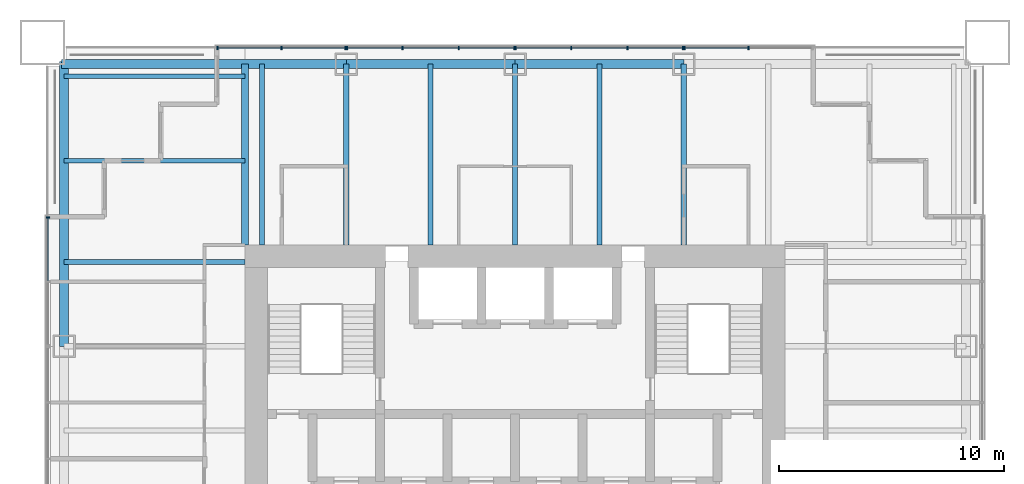
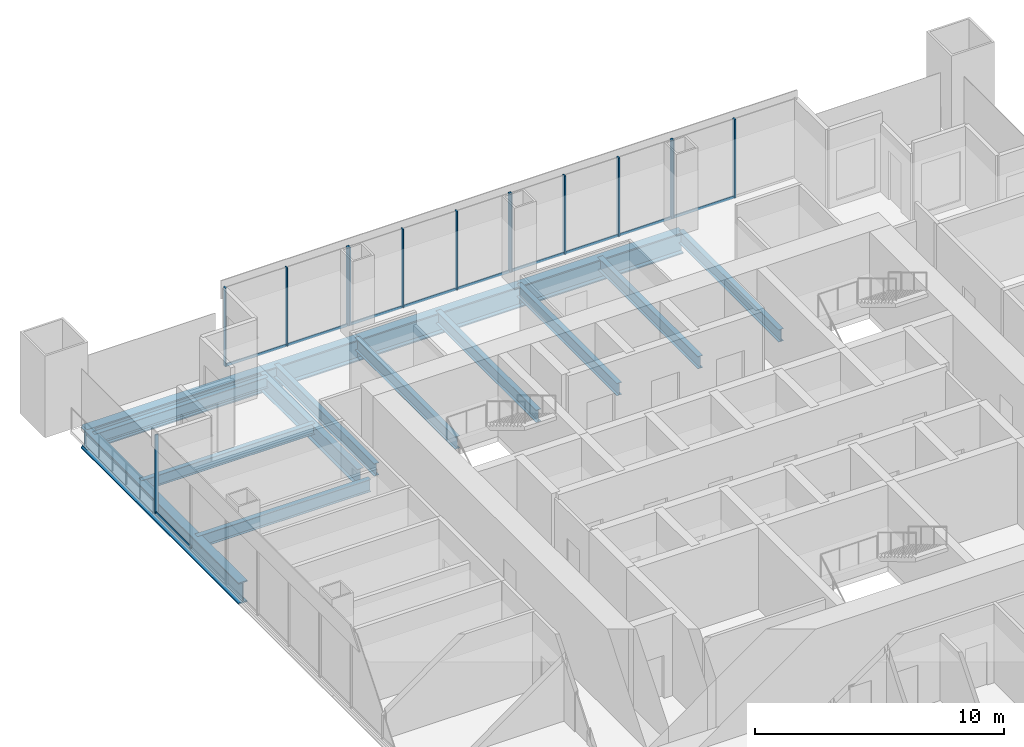
# One storey, part 6 of 15: 24 members, 14 beams, 5 elements without a shape of their own.
"""IFC4 building model written with IfcOpenShell, lengths in metres."""

from ifc_helpers import new_model, si_unit, direction, frame, origin, origin_2d, place, context, subcontext, project, spatial, rectangle, i_section, extrude, material, material_profile, profile_set, type_object, element, aggregate, save


model = new_model("IFC4")

# Units and contexts
model_context = context("Model", 3, precision=1e-05, world=origin(), true_north=direction((0.0, 1.0)))
body_context = subcontext(model_context, "Body", "Model", "MODEL_VIEW")
ifc_project = project(units=[si_unit("LENGTHUNIT", "METRE"), si_unit("AREAUNIT", "SQUARE_METRE"), si_unit("VOLUMEUNIT", "CUBIC_METRE"), si_unit("PLANEANGLEUNIT", "RADIAN"), si_unit("MASSUNIT", "GRAM", prefix="KILO")], contexts=[model_context])

# Site, building, storey
site_placement = place(None, origin())
site = spatial("IfcSite", under=ifc_project, at=site_placement, CompositionType="ELEMENT")
building_placement = place(site_placement, origin())
building = spatial("IfcBuilding", under=site, at=building_placement, Name="Tarangal Relay Tower", CompositionType="ELEMENT")
storey_placement = place(building_placement, frame((0.0, 0.0, 299.89990234375)))
storey = spatial("IfcBuildingStorey", under=building, at=storey_placement, Name="L66", CompositionType="ELEMENT", Elevation=299.89990234375)

# Beams
ifc_material_1 = material(Name="Steel ASTM A992", Category="steel")
ifc_material_profile_1 = material_profile(ifc_material_1, i_section(OverallWidth=0.209228515625, OverallDepth=0.533447265625, WebThickness=0.01025390625, FlangeThickness=0.015625, at=origin_2d()), Name="W21X62")
ifc_profile_set_1 = profile_set([ifc_material_profile_1], Name="Steel ASTM A992")
beam_type_1 = type_object("IfcBeamType", Name="Corner beam W21X62", PredefinedType="JOIST", material=ifc_profile_set_1)
for number, where, z_axis, x_axis, name in (
    (1, (-12.0, 15.75, -0.41650390625), (-1.0, 0.0, 0.0), (0.0, -1.0, 0.0), "Corner beam CB12 W L66"),
    (2, (-12.0, 19.5, -0.41650390625), (-1.0, 0.0, 0.0), (0.0, -1.0, 0.0), "Corner beam CB12 W L66"),
):
    element("IfcBeam", number, at=place(storey_placement, frame(where, z_axis=z_axis, x_axis=x_axis)), inside=storey, type_object=beam_type_1, Name=name, PredefinedType="JOIST", context=body_context, shape_type="SweptSolid", body=[
        extrude(i_section(OverallWidth=0.209228515625, OverallDepth=0.533447265625, WebThickness=0.01025390625, FlangeThickness=0.015625, at=origin_2d()), origin(), (0.0, 0.0, 1.0), 8.0400390625),
    ])
ifc_material_profile_2 = material_profile(ifc_material_1, i_section(OverallWidth=0.2919921875, OverallDepth=0.8408203125, WebThickness=0.0146484375, FlangeThickness=0.021728515625, at=origin_2d()), Name="W33X130")
ifc_profile_set_2 = profile_set([ifc_material_profile_2], Name="Steel ASTM A992")
beam_type_2 = type_object("IfcBeamType", Name="Corner girder W33X130", PredefinedType="BEAM", material=ifc_profile_set_2)
beam_1_placement = place(storey_placement, frame((-12.0, 12.0, -0.5703125), z_axis=(0.0, 1.0, 0.0), x_axis=(-1.0, 0.0, 0.0)))
element("IfcBeam", 3, at=beam_1_placement, inside=storey, type_object=beam_type_2, Name="Corner girder CG5 W L66", PredefinedType="BEAM", context=body_context, shape_type="SweptSolid", body=[
    extrude(i_section(OverallWidth=0.2919921875, OverallDepth=0.8408203125, WebThickness=0.0146484375, FlangeThickness=0.021728515625, at=origin_2d()), origin(), (0.0, 0.0, 1.0), 8.0400390625),
])
ifc_material_profile_3 = material_profile(ifc_material_1, i_section(OverallWidth=0.41162109375, OverallDepth=1.049072265625, WebThickness=0.033935546875, FlangeThickness=0.059814453125, at=origin_2d()), Name="W40X431")
ifc_profile_set_3 = profile_set([ifc_material_profile_3], Name="Steel ASTM A992")
beam_type_3 = type_object("IfcBeamType", Name="Edge girder W40X431", PredefinedType="SPANDREL", material=ifc_profile_set_3)
beam_2_placement = place(storey_placement, frame((-20.14990234375, 20.0400390625, -0.67431640625), z_axis=(1.0, 0.0, 0.0), x_axis=(0.0, 1.0, 0.0)))
element("IfcBeam", 4, at=beam_2_placement, inside=storey, type_object=beam_type_3, Name="Edge girder EG1 N L66", PredefinedType="SPANDREL", context=body_context, shape_type="SweptSolid", body=[
    extrude(i_section(OverallWidth=0.41162109375, OverallDepth=1.049072265625, WebThickness=0.033935546875, FlangeThickness=0.059814453125, at=origin_2d()), origin(), (0.0, 0.0, 1.0), 12.64990234375),
])
for number, where, z_axis, x_axis, name in (
    (5, (-7.5, 20.0400390625, -0.67431640625), (1.0, 0.0, 0.0), (0.0, 1.0, 0.0), "Edge girder EG1 N L66"),
    (6, (0.0, 20.0400390625, -0.67431640625), (1.0, 0.0, 0.0), (0.0, 1.0, 0.0), "Edge girder EG1 N L66"),
):
    element("IfcBeam", number, at=place(storey_placement, frame(where, z_axis=z_axis, x_axis=x_axis)), inside=storey, type_object=beam_type_3, Name=name, PredefinedType="SPANDREL", context=body_context, shape_type="SweptSolid", body=[
        extrude(i_section(OverallWidth=0.41162109375, OverallDepth=1.049072265625, WebThickness=0.033935546875, FlangeThickness=0.059814453125, at=origin_2d()), origin(), (0.0, 0.0, 1.0), 7.5),
    ])
beam_3_placement = place(storey_placement, frame((-20.0400390625, 7.5, -0.67431640625), z_axis=(0.0, 1.0, 0.0), x_axis=(-1.0, 0.0, 0.0)))
element("IfcBeam", 7, at=beam_3_placement, inside=storey, type_object=beam_type_3, Name="Edge girder EG1 W L66", PredefinedType="SPANDREL", context=body_context, shape_type="SweptSolid", body=[
    extrude(i_section(OverallWidth=0.41162109375, OverallDepth=1.049072265625, WebThickness=0.033935546875, FlangeThickness=0.059814453125, at=origin_2d()), origin(), (0.0, 0.0, 1.0), 12.64990234375),
])
ifc_material_profile_4 = material_profile(ifc_material_1, i_section(OverallWidth=0.228271484375, OverallDepth=0.607177734375, WebThickness=0.01123046875, FlangeThickness=0.017333984375, at=origin_2d()), Name="W24X76")
ifc_profile_set_4 = profile_set([ifc_material_profile_4], Name="Steel ASTM A992")
beam_type_4 = type_object("IfcBeamType", Name="Floor beam W24X76", PredefinedType="BEAM", material=ifc_profile_set_4)
for number, where, z_axis, x_axis, name in (
    (8, (-11.25, 12.0, -0.453369140625), (0.0, 1.0, 0.0), (-1.0, 0.0, 0.0), "Floor beam RB5 N L66"),
    (9, (-7.5, 12.0, -0.453369140625), (0.0, 1.0, 0.0), (-1.0, 0.0, 0.0), "Floor beam RB5 N L66"),
    (10, (-3.75, 12.0, -0.453369140625), (0.0, 1.0, 0.0), (-1.0, 0.0, 0.0), "Floor beam RB5 N L66"),
    (11, (0.0, 12.0, -0.453369140625), (0.0, 1.0, 0.0), (-1.0, 0.0, 0.0), "Floor beam RB5 N L66"),
    (12, (3.75, 12.0, -0.453369140625), (0.0, 1.0, 0.0), (-1.0, 0.0, 0.0), "Floor beam RB5 N L66"),
    (13, (7.5, 12.0, -0.453369140625), (0.0, 1.0, 0.0), (-1.0, 0.0, 0.0), "Floor beam RB5 N L66"),
    (14, (-12.0, 11.25, -0.453369140625), (-1.0, 0.0, 0.0), (0.0, -1.0, 0.0), "Floor beam RB5 W L66"),
):
    element("IfcBeam", number, at=place(storey_placement, frame(where, z_axis=z_axis, x_axis=x_axis)), inside=storey, type_object=beam_type_4, Name=name, PredefinedType="BEAM", context=body_context, shape_type="SweptSolid", body=[
        extrude(i_section(OverallWidth=0.228271484375, OverallDepth=0.607177734375, WebThickness=0.01123046875, FlangeThickness=0.017333984375, at=origin_2d()), origin(), (0.0, 0.0, 1.0), 8.0400390625),
    ])

# Curtain wall, members
ifc_material_2 = material(Name="Unitised curtain wall, dark glass and black aluminium", Category="aluminium")
curtain_wall_type = type_object("IfcCurtainWallType", Name="Curtain wall CW-B", PredefinedType="USERDEFINED", material=ifc_material_2)
curtain_wall_1_placement = place(storey_placement, origin())
curtain_wall_1 = element("IfcCurtainWall", 15, at=curtain_wall_1_placement, inside=storey, type_object=curtain_wall_type, Name="Curtain wall CW-B N facade L66", ObjectType="UNITISED CURTAIN WALL", PredefinedType="USERDEFINED")
ifc_material_3 = material(Name="Black anodised aluminium mullion", Category="aluminium")
ifc_material_profile_5 = material_profile(ifc_material_3, rectangle(XDim=0.159912109375, YDim=0.06005859375, at=origin_2d()), Name="CW-BM 60X160")
ifc_profile_set_5 = profile_set([ifc_material_profile_5], Name="Black anodised aluminium mullion")
member_type_1 = type_object("IfcMemberType", Name="Mullion CW-B 60 x 160", PredefinedType="MULLION", material=ifc_profile_set_5)
member_1_placement = place(storey_placement, frame((-13.219970703125, 20.75, 0.0), z_axis=(0.0, 0.0, 1.0), x_axis=(0.0, 1.0, 0.0)))
member_1 = element("IfcMember", 16, at=member_1_placement, type_object=member_type_1, Name="CW-B mullion 1", PredefinedType="MULLION", context=body_context, shape_type="SweptSolid", body=[
    extrude(rectangle(XDim=0.159912109375, YDim=0.06005859375, at=origin_2d()), origin(), (0.0, 0.0, 1.0), 3.85009765625),
])
member_2_placement = place(storey_placement, frame((-10.375, 20.75, 0.0), z_axis=(0.0, 0.0, 1.0), x_axis=(0.0, 1.0, 0.0)))
member_2 = element("IfcMember", 17, at=member_2_placement, type_object=member_type_1, Name="CW-B mullion 2", PredefinedType="MULLION", context=body_context, shape_type="SweptSolid", body=[
    extrude(rectangle(XDim=0.159912109375, YDim=0.06005859375, at=origin_2d()), origin(), (0.0, 0.0, 1.0), 3.85009765625),
])
member_3_placement = place(storey_placement, frame((-7.530029296875, 20.75, 0.0), z_axis=(0.0, 0.0, 1.0), x_axis=(0.0, 1.0, 0.0)))
member_3 = element("IfcMember", 18, at=member_3_placement, type_object=member_type_1, Name="CW-B mullion 3", PredefinedType="MULLION", context=body_context, shape_type="SweptSolid", body=[
    extrude(rectangle(XDim=0.159912109375, YDim=0.06005859375, at=origin_2d()), origin(), (0.0, 0.0, 1.0), 3.85009765625),
])

curtain_wall_2_placement = place(storey_placement, origin())
curtain_wall_2 = element("IfcCurtainWall", 19, at=curtain_wall_2_placement, inside=storey, type_object=curtain_wall_type, Name="Curtain wall CW-B N facade L66", ObjectType="UNITISED CURTAIN WALL", PredefinedType="USERDEFINED")
member_4_placement = place(storey_placement, frame((-7.469970703125, 20.75, 0.0), z_axis=(0.0, 0.0, 1.0), x_axis=(0.0, 1.0, 0.0)))
member_4 = element("IfcMember", 20, at=member_4_placement, type_object=member_type_1, Name="CW-B mullion 1", PredefinedType="MULLION", context=body_context, shape_type="SweptSolid", body=[
    extrude(rectangle(XDim=0.159912109375, YDim=0.06005859375, at=origin_2d()), origin(), (0.0, 0.0, 1.0), 3.85009765625),
])
member_5_placement = place(storey_placement, frame((-5.0, 20.75, 0.0), z_axis=(0.0, 0.0, 1.0), x_axis=(0.0, 1.0, 0.0)))
member_5 = element("IfcMember", 21, at=member_5_placement, type_object=member_type_1, Name="CW-B mullion 2", PredefinedType="MULLION", context=body_context, shape_type="SweptSolid", body=[
    extrude(rectangle(XDim=0.159912109375, YDim=0.06005859375, at=origin_2d()), origin(), (0.0, 0.0, 1.0), 3.85009765625),
])
member_6_placement = place(storey_placement, frame((-2.5, 20.75, 0.0), z_axis=(0.0, 0.0, 1.0), x_axis=(0.0, 1.0, 0.0)))
member_6 = element("IfcMember", 22, at=member_6_placement, type_object=member_type_1, Name="CW-B mullion 3", PredefinedType="MULLION", context=body_context, shape_type="SweptSolid", body=[
    extrude(rectangle(XDim=0.159912109375, YDim=0.06005859375, at=origin_2d()), origin(), (0.0, 0.0, 1.0), 3.85009765625),
])
member_7_placement = place(storey_placement, frame((-0.030029296875, 20.75, 0.0), z_axis=(0.0, 0.0, 1.0), x_axis=(0.0, 1.0, 0.0)))
member_7 = element("IfcMember", 23, at=member_7_placement, type_object=member_type_1, Name="CW-B mullion 4", PredefinedType="MULLION", context=body_context, shape_type="SweptSolid", body=[
    extrude(rectangle(XDim=0.159912109375, YDim=0.06005859375, at=origin_2d()), origin(), (0.0, 0.0, 1.0), 3.85009765625),
])

curtain_wall_3_placement = place(storey_placement, origin())
curtain_wall_3 = element("IfcCurtainWall", 24, at=curtain_wall_3_placement, inside=storey, type_object=curtain_wall_type, Name="Curtain wall CW-B N facade L66", ObjectType="UNITISED CURTAIN WALL", PredefinedType="USERDEFINED")
member_8_placement = place(storey_placement, frame((0.030029296875, 20.75, 0.0), z_axis=(0.0, 0.0, 1.0), x_axis=(0.0, 1.0, 0.0)))
member_8 = element("IfcMember", 25, at=member_8_placement, type_object=member_type_1, Name="CW-B mullion 1", PredefinedType="MULLION", context=body_context, shape_type="SweptSolid", body=[
    extrude(rectangle(XDim=0.159912109375, YDim=0.06005859375, at=origin_2d()), origin(), (0.0, 0.0, 1.0), 3.85009765625),
])
member_9_placement = place(storey_placement, frame((2.5, 20.75, 0.0), z_axis=(0.0, 0.0, 1.0), x_axis=(0.0, 1.0, 0.0)))
member_9 = element("IfcMember", 26, at=member_9_placement, type_object=member_type_1, Name="CW-B mullion 2", PredefinedType="MULLION", context=body_context, shape_type="SweptSolid", body=[
    extrude(rectangle(XDim=0.159912109375, YDim=0.06005859375, at=origin_2d()), origin(), (0.0, 0.0, 1.0), 3.85009765625),
])
member_10_placement = place(storey_placement, frame((5.0, 20.75, 0.0), z_axis=(0.0, 0.0, 1.0), x_axis=(0.0, 1.0, 0.0)))
member_10 = element("IfcMember", 27, at=member_10_placement, type_object=member_type_1, Name="CW-B mullion 3", PredefinedType="MULLION", context=body_context, shape_type="SweptSolid", body=[
    extrude(rectangle(XDim=0.159912109375, YDim=0.06005859375, at=origin_2d()), origin(), (0.0, 0.0, 1.0), 3.85009765625),
])
member_11_placement = place(storey_placement, frame((7.469970703125, 20.75, 0.0), z_axis=(0.0, 0.0, 1.0), x_axis=(0.0, 1.0, 0.0)))
member_11 = element("IfcMember", 28, at=member_11_placement, type_object=member_type_1, Name="CW-B mullion 4", PredefinedType="MULLION", context=body_context, shape_type="SweptSolid", body=[
    extrude(rectangle(XDim=0.159912109375, YDim=0.06005859375, at=origin_2d()), origin(), (0.0, 0.0, 1.0), 3.85009765625),
])

curtain_wall_4_placement = place(storey_placement, origin())
curtain_wall_4 = element("IfcCurtainWall", 29, at=curtain_wall_4_placement, inside=storey, type_object=curtain_wall_type, Name="Curtain wall CW-B N facade L66", ObjectType="UNITISED CURTAIN WALL", PredefinedType="USERDEFINED")
member_12_placement = place(storey_placement, frame((7.530029296875, 20.75, 0.0), z_axis=(0.0, 0.0, 1.0), x_axis=(0.0, 1.0, 0.0)))
member_12 = element("IfcMember", 30, at=member_12_placement, type_object=member_type_1, Name="CW-B mullion 1", PredefinedType="MULLION", context=body_context, shape_type="SweptSolid", body=[
    extrude(rectangle(XDim=0.159912109375, YDim=0.06005859375, at=origin_2d()), origin(), (0.0, 0.0, 1.0), 3.85009765625),
])
member_13_placement = place(storey_placement, frame((10.375, 20.75, 0.0), z_axis=(0.0, 0.0, 1.0), x_axis=(0.0, 1.0, 0.0)))
member_13 = element("IfcMember", 31, at=member_13_placement, type_object=member_type_1, Name="CW-B mullion 2", PredefinedType="MULLION", context=body_context, shape_type="SweptSolid", body=[
    extrude(rectangle(XDim=0.159912109375, YDim=0.06005859375, at=origin_2d()), origin(), (0.0, 0.0, 1.0), 3.85009765625),
])

# Curtain wall, member
curtain_wall_5_placement = place(storey_placement, origin())
curtain_wall_5 = element("IfcCurtainWall", 32, at=curtain_wall_5_placement, inside=storey, type_object=curtain_wall_type, Name="Curtain wall CW-B W facade L66", ObjectType="UNITISED CURTAIN WALL", PredefinedType="USERDEFINED")
member_14_placement = place(storey_placement, frame((-20.75, 13.219970703125, 0.0), z_axis=(0.0, 0.0, 1.0), x_axis=(-1.0, 0.0, 0.0)))
member_14 = element("IfcMember", 33, at=member_14_placement, type_object=member_type_1, Name="CW-B mullion 3", PredefinedType="MULLION", context=body_context, shape_type="SweptSolid", body=[
    extrude(rectangle(XDim=0.159912109375, YDim=0.06005859375, at=origin_2d()), origin(), (0.0, 0.0, 1.0), 3.85009765625),
])

# Member
ifc_material_4 = material(Name="Black anodised aluminium transom", Category="aluminium")
ifc_material_profile_6 = material_profile(ifc_material_4, rectangle(XDim=0.06005859375, YDim=0.1298828125, at=origin_2d()), Name="CW-BT 60X130")
ifc_profile_set_6 = profile_set([ifc_material_profile_6], Name="Black anodised aluminium transom")
member_type_2 = type_object("IfcMemberType", Name="Transom CW-B 60 x 130", PredefinedType="USERDEFINED", material=ifc_profile_set_6)
member_15_placement = place(storey_placement, frame((-13.18994140625, 20.75, 0.030029296875), z_axis=(1.0, 0.0, 0.0), x_axis=(0.0, 1.0, 0.0)))
member_15 = element("IfcMember", 34, at=member_15_placement, type_object=member_type_2, Name="CW-B transom 1.1", ObjectType="TRANSOM", PredefinedType="USERDEFINED", context=body_context, shape_type="SweptSolid", body=[
    extrude(rectangle(XDim=0.06005859375, YDim=0.1298828125, at=origin_2d()), origin(), (0.0, 0.0, 1.0), 2.784912109375),
])

member_16_placement = place(storey_placement, frame((-10.344970703125, 20.75, 0.030029296875), z_axis=(1.0, 0.0, 0.0), x_axis=(0.0, 1.0, 0.0)))
member_16 = element("IfcMember", 35, at=member_16_placement, type_object=member_type_2, Name="CW-B transom 2.1", ObjectType="TRANSOM", PredefinedType="USERDEFINED", context=body_context, shape_type="SweptSolid", body=[
    extrude(rectangle(XDim=0.06005859375, YDim=0.1298828125, at=origin_2d()), origin(), (0.0, 0.0, 1.0), 2.784912109375),
])

aggregate(curtain_wall_1, [member_1, member_2, member_3, member_15, member_16])

member_17_placement = place(storey_placement, frame((-7.43994140625, 20.75, 0.030029296875), z_axis=(1.0, 0.0, 0.0), x_axis=(0.0, 1.0, 0.0)))
member_17 = element("IfcMember", 36, at=member_17_placement, type_object=member_type_2, Name="CW-B transom 1.1", ObjectType="TRANSOM", PredefinedType="USERDEFINED", context=body_context, shape_type="SweptSolid", body=[
    extrude(rectangle(XDim=0.06005859375, YDim=0.1298828125, at=origin_2d()), origin(), (0.0, 0.0, 1.0), 2.409912109375),
])

member_18_placement = place(storey_placement, frame((-4.969970703125, 20.75, 0.030029296875), z_axis=(1.0, 0.0, 0.0), x_axis=(0.0, 1.0, 0.0)))
member_18 = element("IfcMember", 37, at=member_18_placement, type_object=member_type_2, Name="CW-B transom 2.1", ObjectType="TRANSOM", PredefinedType="USERDEFINED", context=body_context, shape_type="SweptSolid", body=[
    extrude(rectangle(XDim=0.06005859375, YDim=0.1298828125, at=origin_2d()), origin(), (0.0, 0.0, 1.0), 2.43994140625),
])

member_19_placement = place(storey_placement, frame((-2.469970703125, 20.75, 0.030029296875), z_axis=(1.0, 0.0, 0.0), x_axis=(0.0, 1.0, 0.0)))
member_19 = element("IfcMember", 38, at=member_19_placement, type_object=member_type_2, Name="CW-B transom 3.1", ObjectType="TRANSOM", PredefinedType="USERDEFINED", context=body_context, shape_type="SweptSolid", body=[
    extrude(rectangle(XDim=0.06005859375, YDim=0.1298828125, at=origin_2d()), origin(), (0.0, 0.0, 1.0), 2.409912109375),
])

aggregate(curtain_wall_2, [member_4, member_5, member_6, member_7, member_17, member_18, member_19])

member_20_placement = place(storey_placement, frame((0.06005859375, 20.75, 0.030029296875), z_axis=(1.0, 0.0, 0.0), x_axis=(0.0, 1.0, 0.0)))
member_20 = element("IfcMember", 39, at=member_20_placement, type_object=member_type_2, Name="CW-B transom 1.1", ObjectType="TRANSOM", PredefinedType="USERDEFINED", context=body_context, shape_type="SweptSolid", body=[
    extrude(rectangle(XDim=0.06005859375, YDim=0.1298828125, at=origin_2d()), origin(), (0.0, 0.0, 1.0), 2.409912109375),
])

member_21_placement = place(storey_placement, frame((2.530029296875, 20.75, 0.030029296875), z_axis=(1.0, 0.0, 0.0), x_axis=(0.0, 1.0, 0.0)))
member_21 = element("IfcMember", 40, at=member_21_placement, type_object=member_type_2, Name="CW-B transom 2.1", ObjectType="TRANSOM", PredefinedType="USERDEFINED", context=body_context, shape_type="SweptSolid", body=[
    extrude(rectangle(XDim=0.06005859375, YDim=0.1298828125, at=origin_2d()), origin(), (0.0, 0.0, 1.0), 2.43994140625),
])

member_22_placement = place(storey_placement, frame((5.030029296875, 20.75, 0.030029296875), z_axis=(1.0, 0.0, 0.0), x_axis=(0.0, 1.0, 0.0)))
member_22 = element("IfcMember", 41, at=member_22_placement, type_object=member_type_2, Name="CW-B transom 3.1", ObjectType="TRANSOM", PredefinedType="USERDEFINED", context=body_context, shape_type="SweptSolid", body=[
    extrude(rectangle(XDim=0.06005859375, YDim=0.1298828125, at=origin_2d()), origin(), (0.0, 0.0, 1.0), 2.409912109375),
])

aggregate(curtain_wall_3, [member_8, member_9, member_10, member_11, member_20, member_21, member_22])

member_23_placement = place(storey_placement, frame((7.56005859375, 20.75, 0.030029296875), z_axis=(1.0, 0.0, 0.0), x_axis=(0.0, 1.0, 0.0)))
member_23 = element("IfcMember", 42, at=member_23_placement, type_object=member_type_2, Name="CW-B transom 1.1", ObjectType="TRANSOM", PredefinedType="USERDEFINED", context=body_context, shape_type="SweptSolid", body=[
    extrude(rectangle(XDim=0.06005859375, YDim=0.1298828125, at=origin_2d()), origin(), (0.0, 0.0, 1.0), 2.784912109375),
])

aggregate(curtain_wall_4, [member_12, member_13, member_23])

member_24_placement = place(storey_placement, frame((-20.75, 10.405029296875, 0.030029296875), z_axis=(0.0, 1.0, 0.0), x_axis=(-1.0, 0.0, 0.0)))
member_24 = element("IfcMember", 43, at=member_24_placement, type_object=member_type_2, Name="CW-B transom 2.1", ObjectType="TRANSOM", PredefinedType="USERDEFINED", context=body_context, shape_type="SweptSolid", body=[
    extrude(rectangle(XDim=0.06005859375, YDim=0.1298828125, at=origin_2d()), origin(), (0.0, 0.0, 1.0), 2.784912109375),
])

aggregate(curtain_wall_5, [member_14, member_24])

save(model, "model.ifc")
